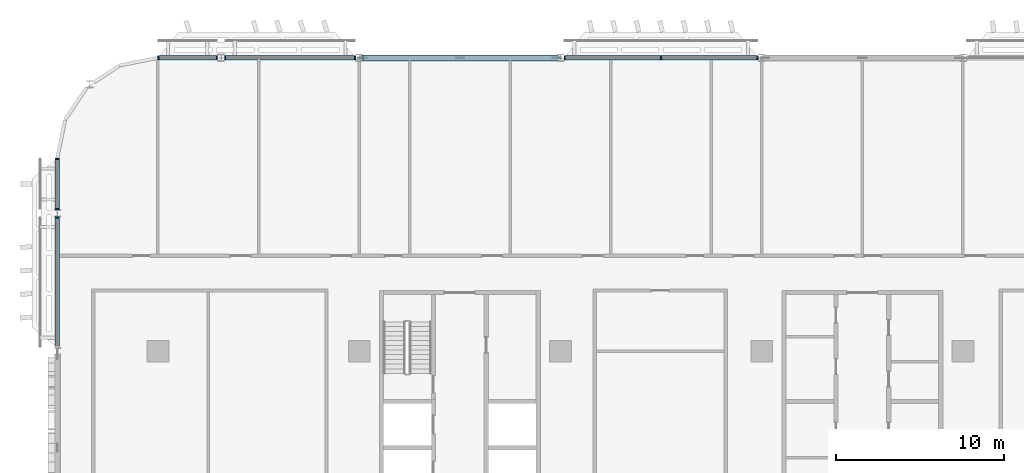
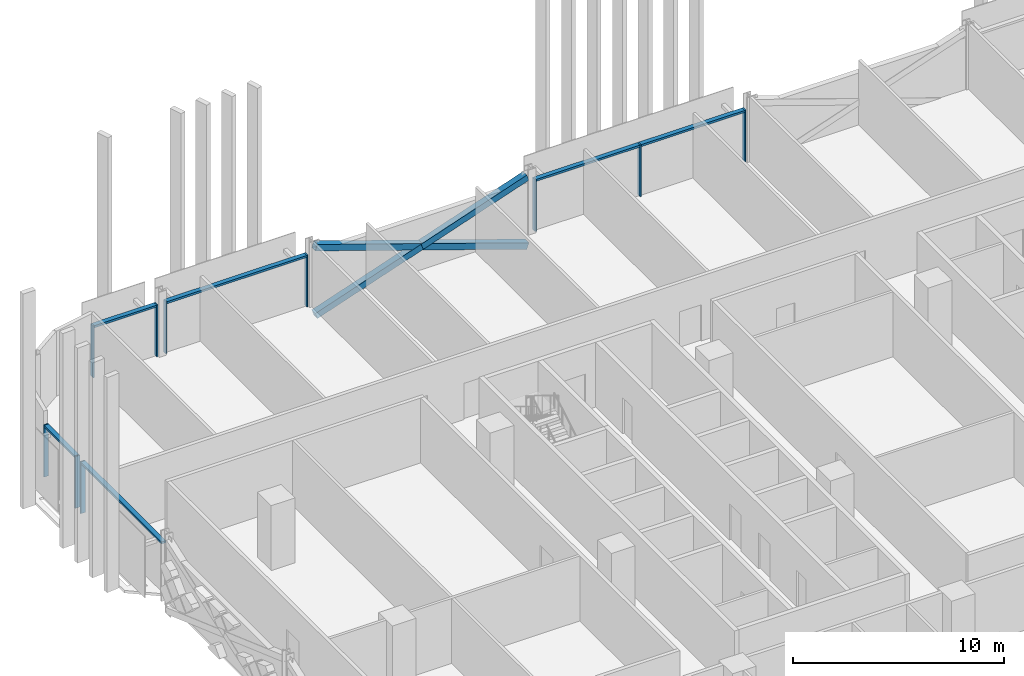
# One storey, part 5 of 33: 19 members, 5 elements without a shape of their own.
"""IFC4 building model written with IfcOpenShell, lengths in metres."""

from ifc_helpers import new_model, si_unit, direction, frame, origin, origin_2d, place, context, subcontext, project, spatial, rectangle, hollow_rectangle, extrude, material, material_profile, profile_set, type_object, element, aggregate, save


model = new_model("IFC4")

# Units and contexts
model_context = context("Model", 3, precision=1e-05, world=origin(), true_north=direction((0.0, 1.0)))
body_context = subcontext(model_context, "Body", "Model", "MODEL_VIEW")
ifc_project = project(units=[si_unit("LENGTHUNIT", "METRE"), si_unit("AREAUNIT", "SQUARE_METRE"), si_unit("VOLUMEUNIT", "CUBIC_METRE"), si_unit("PLANEANGLEUNIT", "RADIAN"), si_unit("MASSUNIT", "GRAM", prefix="KILO")], contexts=[model_context])

# Site, building, storey
site_placement = place(None, origin())
site = spatial("IfcSite", under=ifc_project, at=site_placement, CompositionType="ELEMENT")
building_placement = place(site_placement, origin())
building = spatial("IfcBuilding", under=site, at=building_placement, Name="Mahtab Terrace Research Tower", CompositionType="ELEMENT")
storey_placement = place(building_placement, frame((0.0, 0.0, 122.0)))
storey = spatial("IfcBuildingStorey", under=building, at=storey_placement, Name="L28", CompositionType="ELEMENT", Elevation=122.0)

# Members
ifc_material_1 = material(Name="Steel ASTM A500 Gr C", Category="steel")
ifc_material_profile_1 = material_profile(ifc_material_1, hollow_rectangle(XDim=0.355712890625, YDim=0.355712890625, WallThickness=0.01904296875, at=origin_2d()), Name="HSS14X14X3/4")
ifc_profile_set_1 = profile_set([ifc_material_profile_1], Name="Steel ASTM A500 Gr C")
member_type_1 = type_object("IfcMemberType", Name="HSS 14x14x3/4 brace XB141434", PredefinedType="BRACE", material=ifc_profile_set_1)
member_1_placement = place(storey_placement, frame((-18.205810546875, 29.0, -0.648193359375), z_axis=(-0.946288278, 0.0, 0.323324132908), x_axis=(0.0, -1.0, 0.0)))
element("IfcMember", 1, at=member_1_placement, inside=storey, type_object=member_type_1, Name="Exoskeleton brace L28 06 a", PredefinedType="BRACE", context=body_context, shape_type="SweptSolid", body=[
    extrude(hollow_rectangle(XDim=0.355712890625, YDim=0.355712890625, WallThickness=0.01904296875, at=origin_2d()), origin(), (0.0, 0.0, 1.0), 12.24609375),
])
for number, where, z_axis, x_axis, name in (
    (2, (-29.794189453125, 29.0, -0.648193359375), (0.946288278, 0.0, 0.323324132908), (0.0, 1.0, 0.0), "Exoskeleton brace L28 06 b1"),
    (3, (-24.0, 29.0, 1.33154296875), (0.946288278, 0.0, 0.323324132908), (0.0, 1.0, 0.0), "Exoskeleton brace L28 06 b2"),
):
    element("IfcMember", number, at=place(storey_placement, frame(where, z_axis=z_axis, x_axis=x_axis)), inside=storey, type_object=member_type_1, Name=name, PredefinedType="BRACE", context=body_context, shape_type="SweptSolid", body=[
        extrude(hollow_rectangle(XDim=0.355712890625, YDim=0.355712890625, WallThickness=0.01904296875, at=origin_2d()), origin(), (0.0, 0.0, 1.0), 6.123046875),
    ])

# Curtain wall, members
ifc_material_2 = material(Name="Sky lounge full-height curtain wall")
curtain_wall_type = type_object("IfcCurtainWallType", Name="Sky lounge full-height curtain wall", PredefinedType="NOTDEFINED", material=ifc_material_2)
curtain_wall_1_placement = place(storey_placement, origin())
curtain_wall_1 = element("IfcCurtainWall", 4, at=curtain_wall_1_placement, inside=storey, type_object=curtain_wall_type, Name="EN.L28.3.7", PredefinedType="NOTDEFINED")
ifc_material_3 = material(Name="Natural anodised aluminium", Category="aluminium")
ifc_material_profile_2 = material_profile(ifc_material_3, rectangle(XDim=0.25, YDim=0.070068359375, at=origin_2d()), Name="MULLION 70x250")
ifc_profile_set_2 = profile_set([ifc_material_profile_2], Name="Natural anodised aluminium")
member_type_2 = type_object("IfcMemberType", Name="Sky lounge full-height curtain wall mullion", PredefinedType="MULLION", material=ifc_profile_set_2)
member_2_placement = place(storey_placement, frame((-6.2529296875, 29.0, 0.0), z_axis=(0.0, 0.0, 1.0), x_axis=(0.0, -1.0, 0.0)))
member_2 = element("IfcMember", 5, at=member_2_placement, type_object=member_type_2, Name="CWS-4 mullion 1", PredefinedType="MULLION", context=body_context, shape_type="SweptSolid", body=[
    extrude(rectangle(XDim=0.25, YDim=0.070068359375, at=origin_2d()), origin(), (0.0, 0.0, 1.0), 3.003173828125),
])
member_3_placement = place(storey_placement, frame((-12.0, 29.0, 0.0), z_axis=(0.0, 0.0, 1.0), x_axis=(0.0, -1.0, 0.0)))
member_3 = element("IfcMember", 6, at=member_3_placement, type_object=member_type_2, Name="CWS-4 mullion 2", PredefinedType="MULLION", context=body_context, shape_type="SweptSolid", body=[
    extrude(rectangle(XDim=0.25, YDim=0.070068359375, at=origin_2d()), origin(), (0.0, 0.0, 1.0), 3.003173828125),
])
member_4_placement = place(storey_placement, frame((-17.7470703125, 29.0, 0.0), z_axis=(0.0, 0.0, 1.0), x_axis=(0.0, -1.0, 0.0)))
member_4 = element("IfcMember", 7, at=member_4_placement, type_object=member_type_2, Name="CWS-4 mullion 3", PredefinedType="MULLION", context=body_context, shape_type="SweptSolid", body=[
    extrude(rectangle(XDim=0.25, YDim=0.070068359375, at=origin_2d()), origin(), (0.0, 0.0, 1.0), 3.003173828125),
])

curtain_wall_2_placement = place(storey_placement, origin())
curtain_wall_2 = element("IfcCurtainWall", 8, at=curtain_wall_2_placement, inside=storey, type_object=curtain_wall_type, Name="EN.L28.3.9", PredefinedType="NOTDEFINED")
member_5_placement = place(storey_placement, frame((-30.2529296875, 29.0, 0.0), z_axis=(0.0, 0.0, 1.0), x_axis=(0.0, -1.0, 0.0)))
member_5 = element("IfcMember", 9, at=member_5_placement, type_object=member_type_2, Name="CWS-4 mullion 1", PredefinedType="MULLION", context=body_context, shape_type="SweptSolid", body=[
    extrude(rectangle(XDim=0.25, YDim=0.070068359375, at=origin_2d()), origin(), (0.0, 0.0, 1.0), 3.003173828125),
])
member_6_placement = place(storey_placement, frame((-37.97802734375, 29.0, 0.0), z_axis=(0.0, 0.0, 1.0), x_axis=(0.0, -1.0, 0.0)))
member_6 = element("IfcMember", 10, at=member_6_placement, type_object=member_type_2, Name="CWS-4 mullion 2", PredefinedType="MULLION", context=body_context, shape_type="SweptSolid", body=[
    extrude(rectangle(XDim=0.25, YDim=0.070068359375, at=origin_2d()), origin(), (0.0, 0.0, 1.0), 3.003173828125),
])

curtain_wall_3_placement = place(storey_placement, origin())
curtain_wall_3 = element("IfcCurtainWall", 11, at=curtain_wall_3_placement, inside=storey, type_object=curtain_wall_type, Name="EN.L28.3.10", PredefinedType="NOTDEFINED")
member_7_placement = place(storey_placement, frame((-38.48388671875, 29.0, 0.0), z_axis=(0.0, 0.0, 1.0), x_axis=(0.0, -1.0, 0.0)))
member_7 = element("IfcMember", 12, at=member_7_placement, type_object=member_type_2, Name="CWS-4 mullion 1", PredefinedType="MULLION", context=body_context, shape_type="SweptSolid", body=[
    extrude(rectangle(XDim=0.25, YDim=0.070068359375, at=origin_2d()), origin(), (0.0, 0.0, 1.0), 3.003173828125),
])
member_8_placement = place(storey_placement, frame((-41.965087890625, 29.0, 0.0), z_axis=(0.0, 0.0, 1.0), x_axis=(0.0, -1.0, 0.0)))
member_8 = element("IfcMember", 13, at=member_8_placement, type_object=member_type_2, Name="CWS-4 mullion 2", PredefinedType="MULLION", context=body_context, shape_type="SweptSolid", body=[
    extrude(rectangle(XDim=0.25, YDim=0.070068359375, at=origin_2d()), origin(), (0.0, 0.0, 1.0), 3.003173828125),
])

curtain_wall_4_placement = place(storey_placement, origin())
curtain_wall_4 = element("IfcCurtainWall", 14, at=curtain_wall_4_placement, inside=storey, type_object=curtain_wall_type, Name="EN.L28.8.15", PredefinedType="NOTDEFINED")
member_9_placement = place(storey_placement, frame((-48.0, 22.965087890625, 0.0), z_axis=(0.0, 0.0, 1.0), x_axis=(1.0, 0.0, 0.0)))
member_9 = element("IfcMember", 15, at=member_9_placement, type_object=member_type_2, Name="CWS-4 mullion 1", PredefinedType="MULLION", context=body_context, shape_type="SweptSolid", body=[
    extrude(rectangle(XDim=0.25, YDim=0.070068359375, at=origin_2d()), origin(), (0.0, 0.0, 1.0), 3.003173828125),
])
member_10_placement = place(storey_placement, frame((-48.0, 19.98388671875, 0.0), z_axis=(0.0, 0.0, 1.0), x_axis=(1.0, 0.0, 0.0)))
member_10 = element("IfcMember", 16, at=member_10_placement, type_object=member_type_2, Name="CWS-4 mullion 2", PredefinedType="MULLION", context=body_context, shape_type="SweptSolid", body=[
    extrude(rectangle(XDim=0.25, YDim=0.070068359375, at=origin_2d()), origin(), (0.0, 0.0, 1.0), 3.003173828125),
])

# Curtain wall, member
curtain_wall_5_placement = place(storey_placement, origin())
curtain_wall_5 = element("IfcCurtainWall", 17, at=curtain_wall_5_placement, inside=storey, type_object=curtain_wall_type, Name="EN.L28.8.16", PredefinedType="NOTDEFINED")
member_11_placement = place(storey_placement, frame((-48.0, 19.47802734375, 0.0), z_axis=(0.0, 0.0, 1.0), x_axis=(1.0, 0.0, 0.0)))
member_11 = element("IfcMember", 18, at=member_11_placement, type_object=member_type_2, Name="CWS-4 mullion 1", PredefinedType="MULLION", context=body_context, shape_type="SweptSolid", body=[
    extrude(rectangle(XDim=0.25, YDim=0.070068359375, at=origin_2d()), origin(), (0.0, 0.0, 1.0), 3.003173828125),
])

# Member
ifc_material_profile_3 = material_profile(ifc_material_3, rectangle(XDim=0.25, YDim=0.1201171875, at=origin_2d()), Name="TRANSOM 120x250")
ifc_profile_set_3 = profile_set([ifc_material_profile_3], Name="Natural anodised aluminium")
member_type_3 = type_object("IfcMemberType", Name="Sky lounge full-height curtain wall transom", PredefinedType="USERDEFINED", material=ifc_profile_set_3)
member_12_placement = place(storey_placement, frame((-6.2880859375, 29.0, 2.943115234375), z_axis=(-1.0, 0.0, 0.0), x_axis=(0.0, -1.0, 0.0)))
member_12 = element("IfcMember", 19, at=member_12_placement, type_object=member_type_3, Name="CWS-4 transom 1", ObjectType="TRANSOM", PredefinedType="USERDEFINED", context=body_context, shape_type="SweptSolid", body=[
    extrude(rectangle(XDim=0.25, YDim=0.1201171875, at=origin_2d()), origin(), (0.0, 0.0, 1.0), 5.677001953125),
])

member_13_placement = place(storey_placement, frame((-12.034912109375, 29.0, 2.943115234375), z_axis=(-1.0, 0.0, 0.0), x_axis=(0.0, -1.0, 0.0)))
member_13 = element("IfcMember", 20, at=member_13_placement, type_object=member_type_3, Name="CWS-4 transom 2", ObjectType="TRANSOM", PredefinedType="USERDEFINED", context=body_context, shape_type="SweptSolid", body=[
    extrude(rectangle(XDim=0.25, YDim=0.1201171875, at=origin_2d()), origin(), (0.0, 0.0, 1.0), 5.677001953125),
])

aggregate(curtain_wall_1, [member_2, member_3, member_4, member_12, member_13])

member_14_placement = place(storey_placement, frame((-30.2880859375, 29.0, 2.943115234375), z_axis=(-1.0, 0.0, 0.0), x_axis=(0.0, -1.0, 0.0)))
member_14 = element("IfcMember", 21, at=member_14_placement, type_object=member_type_3, Name="CWS-4 transom 1", ObjectType="TRANSOM", PredefinedType="USERDEFINED", context=body_context, shape_type="SweptSolid", body=[
    extrude(rectangle(XDim=0.25, YDim=0.1201171875, at=origin_2d()), origin(), (0.0, 0.0, 1.0), 7.655029296875),
])

aggregate(curtain_wall_2, [member_5, member_6, member_14])

member_15_placement = place(storey_placement, frame((-38.51904296875, 29.0, 2.943115234375), z_axis=(-1.0, 0.0, 0.0), x_axis=(0.0, -1.0, 0.0)))
member_15 = element("IfcMember", 22, at=member_15_placement, type_object=member_type_3, Name="CWS-4 transom 1", ObjectType="TRANSOM", PredefinedType="USERDEFINED", context=body_context, shape_type="SweptSolid", body=[
    extrude(rectangle(XDim=0.25, YDim=0.1201171875, at=origin_2d()), origin(), (0.0, 0.0, 1.0), 3.410888671875),
])

aggregate(curtain_wall_3, [member_7, member_8, member_15])

member_16_placement = place(storey_placement, frame((-48.0, 22.929931640625, 2.943115234375), z_axis=(0.0, -1.0, 0.0), x_axis=(1.0, 0.0, 0.0)))
member_16 = element("IfcMember", 23, at=member_16_placement, type_object=member_type_3, Name="CWS-4 transom 1", ObjectType="TRANSOM", PredefinedType="USERDEFINED", context=body_context, shape_type="SweptSolid", body=[
    extrude(rectangle(XDim=0.25, YDim=0.1201171875, at=origin_2d()), origin(), (0.0, 0.0, 1.0), 2.910888671875),
])

aggregate(curtain_wall_4, [member_9, member_10, member_16])

member_17_placement = place(storey_placement, frame((-48.0, 19.443115234375, 2.943115234375), z_axis=(0.0, -1.0, 0.0), x_axis=(1.0, 0.0, 0.0)))
member_17 = element("IfcMember", 24, at=member_17_placement, type_object=member_type_3, Name="CWS-4 transom 1", ObjectType="TRANSOM", PredefinedType="USERDEFINED", context=body_context, shape_type="SweptSolid", body=[
    extrude(rectangle(XDim=0.25, YDim=0.1201171875, at=origin_2d()), origin(), (0.0, 0.0, 1.0), 7.655029296875),
])

aggregate(curtain_wall_5, [member_11, member_17])

save(model, "model.ifc")
